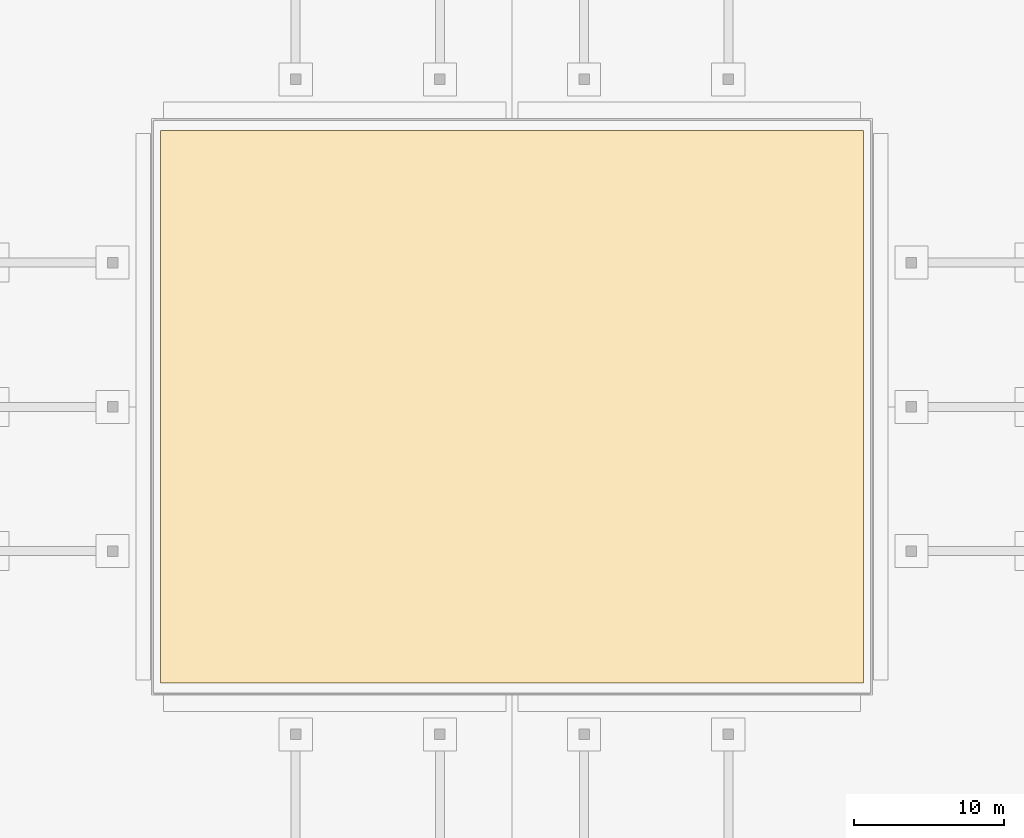
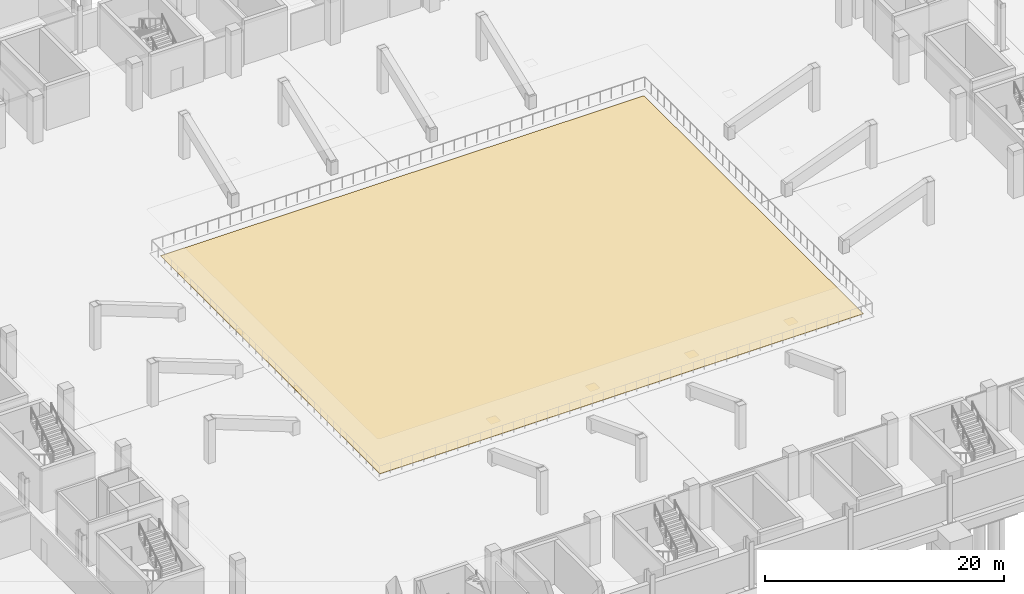
# One storey, part 52 of 67: 1 covering.
"""IFC4 building model written with IfcOpenShell, lengths in metres."""

from ifc_helpers import new_model, si_unit, direction, frame, origin, place, context, subcontext, project, spatial, polyline, outline, extrude, material, layer, layer_set, type_object, element, save


model = new_model("IFC4")

# Units and contexts
model_context = context("Model", 3, precision=1e-05, world=origin(), true_north=direction((0.0, 1.0)))
body_context = subcontext(model_context, "Body", "Model", "MODEL_VIEW")
ifc_project = project(units=[si_unit("LENGTHUNIT", "METRE"), si_unit("AREAUNIT", "SQUARE_METRE"), si_unit("VOLUMEUNIT", "CUBIC_METRE"), si_unit("PLANEANGLEUNIT", "RADIAN"), si_unit("MASSUNIT", "GRAM", prefix="KILO")], contexts=[model_context])

# Site, building, storey
site_placement = place(None, origin())
site = spatial("IfcSite", under=ifc_project, at=site_placement, CompositionType="ELEMENT")
building_placement = place(site_placement, origin())
building = spatial("IfcBuilding", under=site, at=building_placement, Name="Caelomonte Colonnade Arena", CompositionType="ELEMENT")
storey_placement = place(building_placement, frame((0.0, 0.0, -4.800048828125)))
storey = spatial("IfcBuildingStorey", under=building, at=storey_placement, Name="B1", CompositionType="ELEMENT", Elevation=-4.800048828125)

# Covering
ifc_material = material(Name="Hardwood maple sports court flooring", Category="wood")
ifc_layer = layer(ifc_material, 0.030029296875)
ifc_layer_set = layer_set([ifc_layer], Name="Hardwood maple sports court flooring")
covering_type = type_object("IfcCoveringType", Name="INT-CV-FLR1", PredefinedType="FLOORING", material=ifc_layer_set)
covering_placement = place(storey_placement, origin())
element("IfcCovering", 1, at=covering_placement, inside=storey, type_object=covering_type, Name="Main arena court hardwood maple flooring", PredefinedType="FLOORING", context=body_context, shape_type="SweptSolid", body=[
    extrude(outline(polyline([(87.0, 48.800048828125), (133.800048828125, 48.800048828125), (133.800048828125, 85.60009765625), (87.0, 85.60009765625), (87.0, 48.800048828125)])), origin(), (0.0, 0.0, 1.0), 0.030029296875),
])

save(model, "model.ifc")
